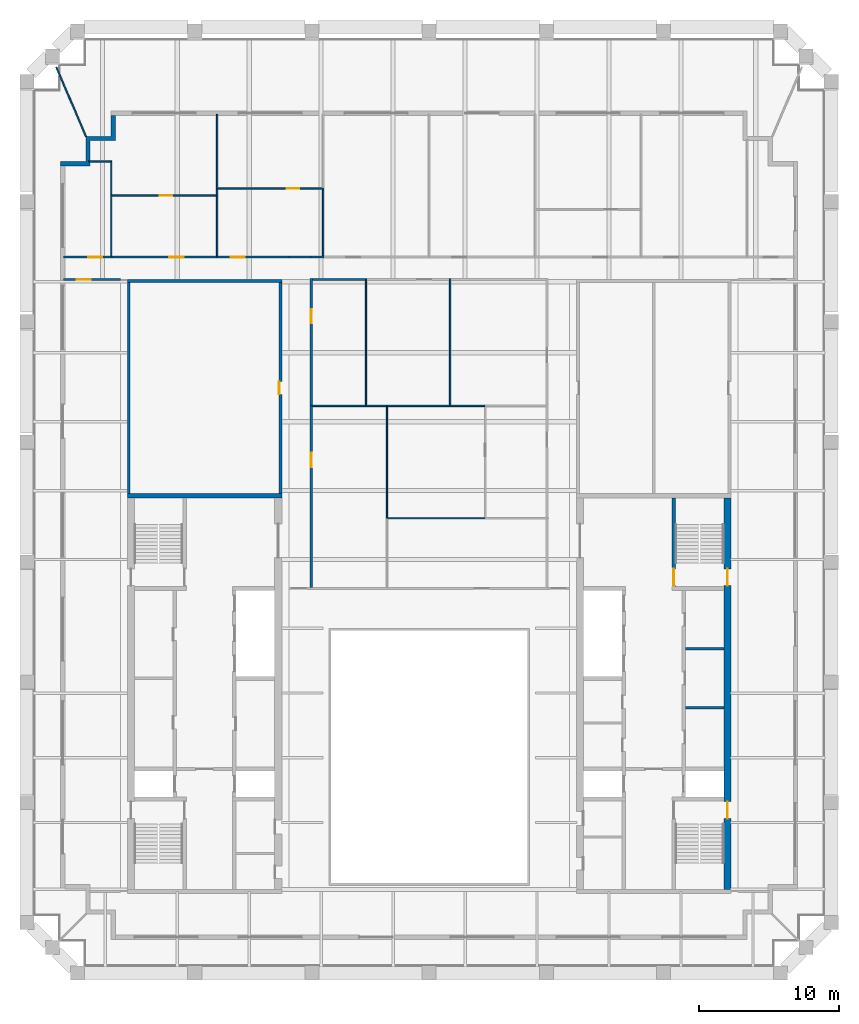
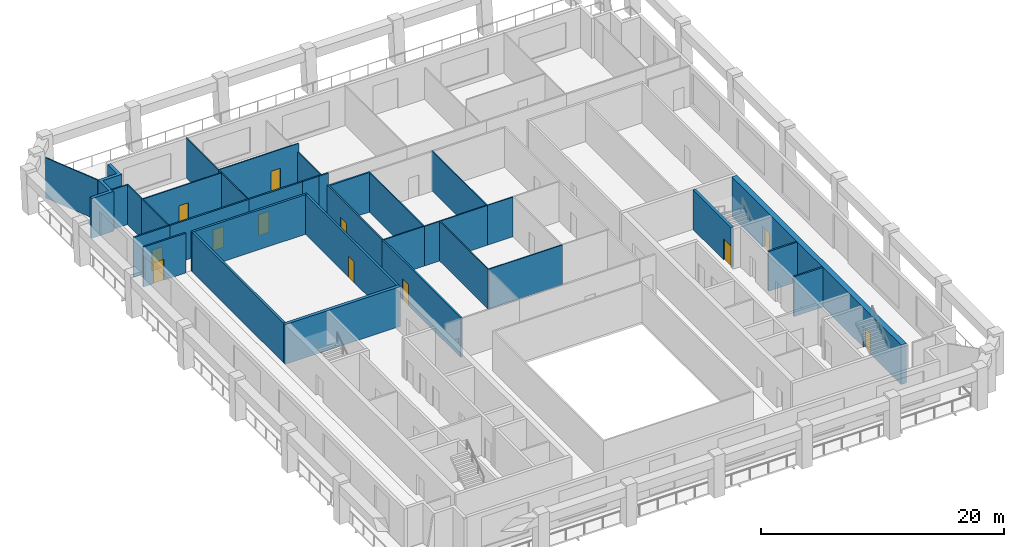
# One storey, part 5 of 8: 36 walls, 12 doors, 12 openings.
"""IFC4 building model written with IfcOpenShell, lengths in metres."""

from ifc_helpers import new_model, si_unit, direction, frame, frame_2d, origin, place, context, subcontext, project, spatial, polyline, rectangle, outline, extrude, material, layer, layer_set, type_object, element, fill, save


model = new_model("IFC4")

# Units and contexts
model_context = context("Model", 3, precision=1e-05, world=origin(), true_north=direction((0.0, 1.0)))
body_context = subcontext(model_context, "Body", "Model", "MODEL_VIEW")
ifc_project = project(units=[si_unit("LENGTHUNIT", "METRE"), si_unit("AREAUNIT", "SQUARE_METRE"), si_unit("VOLUMEUNIT", "CUBIC_METRE"), si_unit("PLANEANGLEUNIT", "RADIAN"), si_unit("MASSUNIT", "GRAM", prefix="KILO")], contexts=[model_context])

# Site, building, storey
site_placement = place(None, origin())
site = spatial("IfcSite", under=ifc_project, at=site_placement, CompositionType="ELEMENT")
building_placement = place(site_placement, origin())
building = spatial("IfcBuilding", under=site, at=building_placement, Name="Ogive Exchange Tower", CompositionType="ELEMENT")
storey_placement = place(building_placement, frame((0.0, 0.0, 338.39990234375)))
storey = spatial("IfcBuildingStorey", under=building, at=storey_placement, Name="L74", CompositionType="ELEMENT", Elevation=338.39990234375)

# Walls
ifc_material_1 = material(Name="Gypsum board partition")
ifc_layer_1 = layer(ifc_material_1, 0.14990234375)
ifc_layer_set_1 = layer_set([ifc_layer_1], Name="Core room partition 150 gypsum")
wall_type_1 = type_object("IfcWallType", Name="Core room partition 150 gypsum", PredefinedType="PARTITIONING", material=ifc_layer_set_1)
for number, where, z_axis, x_axis, name in (
    (1, (18.25, 10.5, 0.0), (0.0, 0.0, 1.0), (1.0, 0.0, 0.0), "E row A bay partition 1-1"),
    (2, (18.25, 14.699951171875, 0.0), (0.0, 0.0, 1.0), (1.0, 0.0, 0.0), "E row A bay partition 1-2"),
):
    element("IfcWall", number, at=place(storey_placement, frame(where, z_axis=z_axis, x_axis=x_axis)), inside=storey, type_object=wall_type_1, Name=name, PredefinedType="PARTITIONING", context=body_context, shape_type="SweptSolid", body=[
        extrude(rectangle(XDim=2.75, YDim=0.14990234375, at=frame_2d((1.375, 0.0))), origin(), (0.0, 0.0, 1.0), 4.0),
    ])

# Wall, opening, door
ifc_material_2 = material(Name="Fire partition EI 60 150")
ifc_layer_2 = layer(ifc_material_2, 0.14990234375)
ifc_layer_set_2 = layer_set([ifc_layer_2], Name="Fire partition EI 60 150")
wall_type_2 = type_object("IfcWallType", Name="Fire partition EI 60 150", PredefinedType="PARTITIONING", material=ifc_layer_set_2)
wall_1_placement = place(storey_placement, frame((-26.050048828125, 42.60009765625, 0.0), z_axis=(0.0, 0.0, 1.0), x_axis=(1.0, 0.0, 0.0)))
wall_1 = element("IfcWall", 3, at=wall_1_placement, inside=storey, type_object=wall_type_2, Name="L74-PWL-001", PredefinedType="PARTITIONING", context=body_context, shape_type="SweptSolid", body=[
    extrude(rectangle(XDim=3.449951171875, YDim=0.14990234375, at=frame_2d((1.72509765625, 0.0))), origin(), (0.0, 0.0, 1.0), 4.0),
])
opening_1_placement = place(wall_1_placement, frame((1.75, 0.0, 0.0)))
opening_1 = element("IfcOpeningElement", 4, at=opening_1_placement, cuts=wall_1, Name="Opening L74-I11", PredefinedType="OPENING", context=body_context, shape_type="SweptSolid", body=[
    extrude(rectangle(XDim=1.0, YDim=2.10009765625, at=frame_2d((0.5, 1.050048828125))), frame((0.0, 0.0849609375, 0.0), z_axis=(0.0, -1.0, 0.0), x_axis=(1.0, 0.0, 0.0)), (0.0, 0.0, 1.0), 0.169921875),
])
ifc_material_3 = material(Name="Fire door FD 30S 1000 x 2100")
door_type_1 = type_object("IfcDoorType", Name="Fire door FD 30S 1000 x 2100", OperationType="NOTDEFINED", PredefinedType="DOOR", material=ifc_material_3)
door_1_placement = place(opening_1_placement, origin())
door_1 = element("IfcDoor", 5, at=door_1_placement, inside=storey, type_object=door_type_1, Name="L74-IDR-011", ObjectType="DT3", OperationType="SINGLE_SWING_LEFT", OverallHeight=2.10009765625, OverallWidth=1.0, PredefinedType="DOOR", context=body_context, shape_type="SweptSolid", body=[
    extrude(rectangle(XDim=1.0, YDim=2.10009765625, at=frame_2d((0.5, 1.050048828125))), frame((0.0, 0.02490234375, 0.0), z_axis=(0.0, -1.0, 0.0), x_axis=(1.0, 0.0, 0.0)), (0.0, 0.0, 1.0), 0.050048828125),
])
fill(opening_1, door_1)

wall_2_placement = place(storey_placement, frame((-22.64990234375, 42.60009765625, 0.0), z_axis=(0.0, 0.0, 1.0), x_axis=(1.0, 0.0, 0.0)))
wall_2 = element("IfcWall", 6, at=wall_2_placement, inside=storey, type_object=wall_type_2, Name="L74-PWL-004", PredefinedType="PARTITIONING", context=body_context, shape_type="SweptSolid", body=[
    extrude(rectangle(XDim=7.599853515625, YDim=0.14990234375, at=frame_2d((3.7998046875, 0.0))), origin(), (0.0, 0.0, 1.0), 4.0),
])
opening_2_placement = place(wall_2_placement, frame((4.14990234375, 0.0, 0.0)))
opening_2 = element("IfcOpeningElement", 7, at=opening_2_placement, cuts=wall_2, Name="Opening L74-I10", PredefinedType="OPENING", context=body_context, shape_type="SweptSolid", body=[
    extrude(rectangle(XDim=1.0, YDim=2.10009765625, at=frame_2d((0.5, 1.050048828125))), frame((0.0, 0.0849609375, 0.0), z_axis=(0.0, -1.0, 0.0), x_axis=(1.0, 0.0, 0.0)), (0.0, 0.0, 1.0), 0.169921875),
])
door_2_placement = place(opening_2_placement, origin())
door_2 = element("IfcDoor", 8, at=door_2_placement, inside=storey, type_object=door_type_1, Name="L74-IDR-010", ObjectType="DT3", OperationType="SINGLE_SWING_LEFT", OverallHeight=2.10009765625, OverallWidth=1.0, PredefinedType="DOOR", context=body_context, shape_type="SweptSolid", body=[
    extrude(rectangle(XDim=1.0, YDim=2.10009765625, at=frame_2d((0.5, 1.050048828125))), frame((0.0, 0.02490234375, 0.0), z_axis=(0.0, -1.0, 0.0), x_axis=(1.0, 0.0, 0.0)), (0.0, 0.0, 1.0), 0.050048828125),
])
fill(opening_2, door_2)

wall_3_placement = place(storey_placement, frame((-22.0, 41.0, 0.0), z_axis=(0.0, 0.0, 1.0), x_axis=(-1.0, 0.0, 0.0)))
wall_3 = element("IfcWall", 9, at=wall_3_placement, inside=storey, type_object=wall_type_2, Name="L74-PWL-007", PredefinedType="PARTITIONING", context=body_context, shape_type="SweptSolid", body=[
    extrude(rectangle(XDim=4.050048828125, YDim=0.14990234375, at=frame_2d((2.02490234375, 0.0))), origin(), (0.0, 0.0, 1.0), 4.0),
])
opening_3_placement = place(wall_3_placement, frame((2.10009765625, 0.0, 0.0)))
opening_3 = element("IfcOpeningElement", 10, at=opening_3_placement, cuts=wall_3, Name="Opening L74-I19", PredefinedType="OPENING", context=body_context, shape_type="SweptSolid", body=[
    extrude(rectangle(XDim=1.0, YDim=2.10009765625, at=frame_2d((0.5, 1.050048828125))), frame((0.0, 0.0849609375, 0.0), z_axis=(0.0, -1.0, 0.0), x_axis=(1.0, 0.0, 0.0)), (0.0, 0.0, 1.0), 0.169921875),
])
door_3_placement = place(opening_3_placement, origin())
door_3 = element("IfcDoor", 11, at=door_3_placement, inside=storey, type_object=door_type_1, Name="L74-IDR-019", ObjectType="DT3", OperationType="SINGLE_SWING_LEFT", OverallHeight=2.10009765625, OverallWidth=1.0, PredefinedType="DOOR", context=body_context, shape_type="SweptSolid", body=[
    extrude(rectangle(XDim=1.0, YDim=2.10009765625, at=frame_2d((0.5, 1.050048828125))), frame((0.0, 0.02490234375, 0.0), z_axis=(0.0, -1.0, 0.0), x_axis=(1.0, 0.0, 0.0)), (0.0, 0.0, 1.0), 0.050048828125),
])
fill(opening_3, door_3)

wall_4_placement = place(storey_placement, frame((-15.10009765625, 42.60009765625, 0.0), z_axis=(0.0, 0.0, 1.0), x_axis=(1.0, 0.0, 0.0)))
wall_4 = element("IfcWall", 12, at=wall_4_placement, inside=storey, type_object=wall_type_2, Name="L74-PWL-009", PredefinedType="PARTITIONING", context=body_context, shape_type="SweptSolid", body=[
    extrude(rectangle(XDim=5.10009765625, YDim=0.14990234375, at=frame_2d((2.550048828125, 0.0))), origin(), (0.0, 0.0, 1.0), 4.0),
])
opening_4_placement = place(wall_4_placement, frame((0.949951171875, 0.0, 0.0)))
opening_4 = element("IfcOpeningElement", 13, at=opening_4_placement, cuts=wall_4, Name="Opening L74-I07", PredefinedType="OPENING", context=body_context, shape_type="SweptSolid", body=[
    extrude(rectangle(XDim=1.0, YDim=2.10009765625, at=frame_2d((0.5, 1.050048828125))), frame((0.0, 0.0849609375, 0.0), z_axis=(0.0, -1.0, 0.0), x_axis=(1.0, 0.0, 0.0)), (0.0, 0.0, 1.0), 0.169921875),
])
door_4_placement = place(opening_4_placement, origin())
door_4 = element("IfcDoor", 14, at=door_4_placement, inside=storey, type_object=door_type_1, Name="L74-IDR-007", ObjectType="DT3", OperationType="SINGLE_SWING_RIGHT", OverallHeight=2.10009765625, OverallWidth=1.0, PredefinedType="DOOR", context=body_context, shape_type="SweptSolid", body=[
    extrude(rectangle(XDim=1.0, YDim=2.10009765625, at=frame_2d((0.5, 1.050048828125))), frame((0.0, 0.02490234375, 0.0), z_axis=(0.0, -1.0, 0.0), x_axis=(1.0, 0.0, 0.0)), (0.0, 0.0, 1.0), 0.050048828125),
])
fill(opening_4, door_4)

# Wall
wall_5_placement = place(storey_placement, frame((-10.0, 42.60009765625, 0.0), z_axis=(0.0, 0.0, 1.0), x_axis=(1.0, 0.0, 0.0)))
element("IfcWall", 15, at=wall_5_placement, inside=storey, type_object=wall_type_2, Name="L74-PWL-014", PredefinedType="PARTITIONING", context=body_context, shape_type="SweptSolid", body=[
    extrude(rectangle(XDim=1.60009765625, YDim=0.14990234375, at=frame_2d((0.800048828125, 0.0))), origin(), (0.0, 0.0, 1.0), 4.0),
])

# Wall, opening, door
wall_6_placement = place(storey_placement, frame((-8.39990234375, 32.050048828125, 0.0), z_axis=(0.0, 0.0, 1.0), x_axis=(0.0, -1.0, 0.0)))
wall_6 = element("IfcWall", 16, at=wall_6_placement, inside=storey, type_object=wall_type_2, Name="L74-PWL-016", PredefinedType="PARTITIONING", context=body_context, shape_type="SweptSolid", body=[
    extrude(rectangle(XDim=12.97509765625, YDim=0.14990234375, at=frame_2d((6.487548828125, 0.0))), origin(), (0.0, 0.0, 1.0), 4.0),
])
opening_5_placement = place(wall_6_placement, frame((3.39990234375, 0.0, 0.0)))
opening_5 = element("IfcOpeningElement", 17, at=opening_5_placement, cuts=wall_6, Name="Opening L74-I18", PredefinedType="OPENING", context=body_context, shape_type="SweptSolid", body=[
    extrude(rectangle(XDim=1.0, YDim=2.10009765625, at=frame_2d((0.5, 1.050048828125))), frame((0.0, 0.0849609375, 0.0), z_axis=(0.0, -1.0, 0.0), x_axis=(1.0, 0.0, 0.0)), (0.0, 0.0, 1.0), 0.169921875),
])
door_5_placement = place(opening_5_placement, origin())
door_5 = element("IfcDoor", 18, at=door_5_placement, inside=storey, type_object=door_type_1, Name="L74-IDR-018", ObjectType="DT3", OperationType="SINGLE_SWING_RIGHT", OverallHeight=2.10009765625, OverallWidth=1.0, PredefinedType="DOOR", context=body_context, shape_type="SweptSolid", body=[
    extrude(rectangle(XDim=1.0, YDim=2.10009765625, at=frame_2d((0.5, 1.050048828125))), frame((0.0, 0.02490234375, 0.0), z_axis=(0.0, -1.0, 0.0), x_axis=(1.0, 0.0, 0.0)), (0.0, 0.0, 1.0), 0.050048828125),
])
fill(opening_5, door_5)

wall_7_placement = place(storey_placement, frame((-8.39990234375, 41.074951171875, 0.0), z_axis=(0.0, 0.0, 1.0), x_axis=(0.0, -1.0, 0.0)))
wall_7 = element("IfcWall", 19, at=wall_7_placement, inside=storey, type_object=wall_type_2, Name="L74-PWL-017", PredefinedType="PARTITIONING", context=body_context, shape_type="SweptSolid", body=[
    extrude(rectangle(XDim=9.02490234375, YDim=0.14990234375, at=frame_2d((4.512451171875, 0.0))), origin(), (0.0, 0.0, 1.0), 4.0),
])
opening_6_placement = place(wall_7_placement, frame((2.175048828125, 0.0, 0.0)))
opening_6 = element("IfcOpeningElement", 20, at=opening_6_placement, cuts=wall_7, Name="Opening L74-I14", PredefinedType="OPENING", context=body_context, shape_type="SweptSolid", body=[
    extrude(rectangle(XDim=1.0, YDim=2.10009765625, at=frame_2d((0.5, 1.050048828125))), frame((0.0, 0.0849609375, 0.0), z_axis=(0.0, -1.0, 0.0), x_axis=(1.0, 0.0, 0.0)), (0.0, 0.0, 1.0), 0.169921875),
])
door_6_placement = place(opening_6_placement, origin())
door_6 = element("IfcDoor", 21, at=door_6_placement, inside=storey, type_object=door_type_1, Name="L74-IDR-014", ObjectType="DT3", OperationType="SINGLE_SWING_RIGHT", OverallHeight=2.10009765625, OverallWidth=1.0, PredefinedType="DOOR", context=body_context, shape_type="SweptSolid", body=[
    extrude(rectangle(XDim=1.0, YDim=2.10009765625, at=frame_2d((0.5, 1.050048828125))), frame((0.0, 0.02490234375, 0.0), z_axis=(0.0, -1.0, 0.0), x_axis=(1.0, 0.0, 0.0)), (0.0, 0.0, 1.0), 0.050048828125),
])
fill(opening_6, door_6)

# Walls
wall_8_placement = place(storey_placement, frame((-8.39990234375, 42.60009765625, 0.0), z_axis=(0.0, 0.0, 1.0), x_axis=(1.0, 0.0, 0.0)))
element("IfcWall", 22, at=wall_8_placement, inside=storey, type_object=wall_type_2, Name="L74-PWL-018", PredefinedType="PARTITIONING", context=body_context, shape_type="SweptSolid", body=[
    extrude(rectangle(XDim=0.89990234375, YDim=0.14990234375, at=frame_2d((0.449951171875, 0.0))), origin(), (0.0, 0.0, 1.0), 4.0),
])
wall_9_placement = place(storey_placement, frame((-4.550048828125, 41.0, 0.0), z_axis=(0.0, 0.0, 1.0), x_axis=(-1.0, 0.0, 0.0)))
element("IfcWall", 23, at=wall_9_placement, inside=storey, type_object=wall_type_2, Name="L74-PWL-024", PredefinedType="PARTITIONING", context=body_context, shape_type="SweptSolid", body=[
    extrude(rectangle(XDim=3.77490234375, YDim=0.14990234375, at=frame_2d((1.887451171875, 0.0))), origin(), (0.0, 0.0, 1.0), 4.0),
])
ifc_material_4 = material(Name="Precast concrete C40/50", Category="concrete")
ifc_layer_3 = layer(ifc_material_4, 0.300048828125)
ifc_layer_set_3 = layer_set([ifc_layer_3], Name="Limestone-faced wall 300")
wall_type_3 = type_object("IfcWallType", Name="Limestone-faced wall 300", PredefinedType="STANDARD", material=ifc_layer_set_3)
wall_10_placement = place(storey_placement, origin())
element("IfcWall", 24, at=wall_10_placement, inside=storey, type_object=wall_type_3, Name="External corner wall C3", PredefinedType="STANDARD", context=body_context, shape_type="SweptSolid", body=[
    extrude(outline(polyline([(-24.449951171875, 49.39990234375), (-24.449951171875, 51.199951171875), (-22.64990234375, 51.199951171875), (-22.64990234375, 52.699951171875), (-22.35009765625, 52.699951171875), (-22.35009765625, 50.89990234375), (-24.14990234375, 50.89990234375), (-24.14990234375, 49.10009765625), (-26.25, 49.10009765625), (-26.25, 49.39990234375), (-24.449951171875, 49.39990234375)])), origin(), (0.0, 0.0, 1.0), 4.0),
])
ifc_material_5 = material(Name="Laminated safety glass in steel frame", Category="steel")
ifc_layer_4 = layer(ifc_material_5, 0.10009765625)
ifc_layer_set_4 = layer_set([ifc_layer_4], Name="Loggia end screen 100")
wall_type_4 = type_object("IfcWallType", Name="Loggia end screen 100", PredefinedType="STANDARD", material=ifc_layer_set_4)
wall_11_placement = place(storey_placement, frame((-24.449951171875, 51.199951171875, -0.0498046875), z_axis=(0.0, 0.0, 1.0), x_axis=(-0.392867927022, 0.919594906422, 0.0)))
element("IfcWall", 25, at=wall_11_placement, inside=storey, type_object=wall_type_4, Name="Loggia end screen C3", PredefinedType="STANDARD", context=body_context, shape_type="SweptSolid", body=[
    extrude(rectangle(XDim=5.38232421875, YDim=0.10009765625, at=frame_2d((2.691162109375, 0.0))), origin(), (0.0, 0.0, 1.0), 4.0498046875),
])
ifc_material_6 = material(Name="Partition 100 gypsum")
ifc_layer_5 = layer(ifc_material_6, 0.10009765625)
ifc_layer_set_5 = layer_set([ifc_layer_5], Name="Partition 100 gypsum")
wall_type_5 = type_object("IfcWallType", Name="Partition 100 gypsum", PredefinedType="PARTITIONING", material=ifc_layer_set_5)
wall_12_placement = place(storey_placement, frame((-22.64990234375, 42.675048828125, 0.0), z_axis=(0.0, 0.0, 1.0), x_axis=(0.0, 1.0, 0.0)))
element("IfcWall", 26, at=wall_12_placement, inside=storey, type_object=wall_type_5, Name="L74-PWL-003", PredefinedType="PARTITIONING", context=body_context, shape_type="SweptSolid", body=[
    extrude(rectangle(XDim=4.375, YDim=0.10009765625, at=frame_2d((2.1875, 0.0))), origin(), (0.0, 0.0, 1.0), 4.0),
])
wall_13_placement = place(storey_placement, frame((-22.64990234375, 47.050048828125, 0.0), z_axis=(0.0, 0.0, 1.0), x_axis=(0.0, 1.0, 0.0)))
element("IfcWall", 27, at=wall_13_placement, inside=storey, type_object=wall_type_5, Name="L74-PWL-005", PredefinedType="PARTITIONING", context=body_context, shape_type="SweptSolid", body=[
    extrude(rectangle(XDim=2.409912109375, YDim=0.10009765625, at=frame_2d((1.205078125, 0.0))), origin(), (0.0, 0.0, 1.0), 4.0),
])
wall_14_placement = place(storey_placement, frame((-22.699951171875, 49.409912109375, 0.0), z_axis=(0.0, 0.0, 1.0), x_axis=(-1.0, 0.0, 0.0)))
element("IfcWall", 28, at=wall_14_placement, inside=storey, type_object=wall_type_5, Name="L74-PWL-006", PredefinedType="PARTITIONING", context=body_context, shape_type="SweptSolid", body=[
    extrude(rectangle(XDim=1.550048828125, YDim=0.10009765625, at=frame_2d((0.77490234375, 0.0))), origin(), (0.0, 0.0, 1.0), 4.0),
])
wall_15_placement = place(storey_placement, frame((-15.10009765625, 42.675048828125, 0.0), z_axis=(0.0, 0.0, 1.0), x_axis=(0.0, 1.0, 0.0)))
element("IfcWall", 29, at=wall_15_placement, inside=storey, type_object=wall_type_5, Name="L74-PWL-008", PredefinedType="PARTITIONING", context=body_context, shape_type="SweptSolid", body=[
    extrude(rectangle(XDim=4.375, YDim=0.10009765625, at=frame_2d((2.1875, 0.0))), origin(), (0.0, 0.0, 1.0), 4.0),
])

# Wall, opening, door
wall_16_placement = place(storey_placement, frame((-15.14990234375, 47.0, 0.0), z_axis=(0.0, 0.0, 1.0), x_axis=(-1.0, 0.0, 0.0)))
wall_16 = element("IfcWall", 30, at=wall_16_placement, inside=storey, type_object=wall_type_5, Name="L74-PWL-010", PredefinedType="PARTITIONING", context=body_context, shape_type="SweptSolid", body=[
    extrude(rectangle(XDim=7.4501953125, YDim=0.10009765625, at=frame_2d((3.72509765625, 0.0))), origin(), (0.0, 0.0, 1.0), 4.0),
])
opening_7_placement = place(wall_16_placement, frame((3.14990234375, 0.0, 0.0)))
opening_7 = element("IfcOpeningElement", 31, at=opening_7_placement, cuts=wall_16, Name="Opening L74-I09", PredefinedType="OPENING", context=body_context, shape_type="SweptSolid", body=[
    extrude(rectangle(XDim=0.89990234375, YDim=2.10009765625, at=frame_2d((0.449951171875, 1.050048828125))), frame((0.0, 0.06005859375, 0.0), z_axis=(0.0, -1.0, 0.0), x_axis=(1.0, 0.0, 0.0)), (0.0, 0.0, 1.0), 0.1201171875),
])
ifc_material_7 = material(Name="Door 900 x 2100")
door_type_2 = type_object("IfcDoorType", Name="Door 900 x 2100", OperationType="NOTDEFINED", PredefinedType="DOOR", material=ifc_material_7)
door_7_placement = place(opening_7_placement, origin())
door_7 = element("IfcDoor", 32, at=door_7_placement, inside=storey, type_object=door_type_2, Name="L74-IDR-009", ObjectType="DT1", OperationType="SINGLE_SWING_LEFT", OverallHeight=2.10009765625, OverallWidth=0.89990234375, PredefinedType="DOOR", context=body_context, shape_type="SweptSolid", body=[
    extrude(rectangle(XDim=0.89990234375, YDim=2.10009765625, at=frame_2d((0.449951171875, 1.050048828125))), frame((0.0, 0.02490234375, 0.0), z_axis=(0.0, -1.0, 0.0), x_axis=(1.0, 0.0, 0.0)), (0.0, 0.0, 1.0), 0.050048828125),
])
fill(opening_7, door_7)

# Walls
wall_17_placement = place(storey_placement, frame((-15.10009765625, 47.0, 0.0), z_axis=(0.0, 0.0, 1.0), x_axis=(0.0, 1.0, 0.0)))
element("IfcWall", 33, at=wall_17_placement, inside=storey, type_object=wall_type_5, Name="L74-PWL-011", PredefinedType="PARTITIONING", context=body_context, shape_type="SweptSolid", body=[
    extrude(rectangle(XDim=0.449951171875, YDim=0.10009765625, at=frame_2d((0.22509765625, 0.0))), origin(), (0.0, 0.0, 1.0), 4.0),
])
wall_18_placement = place(storey_placement, frame((-15.10009765625, 47.449951171875, 0.0), z_axis=(0.0, 0.0, 1.0), x_axis=(0.0, 1.0, 0.0)))
element("IfcWall", 34, at=wall_18_placement, inside=storey, type_object=wall_type_5, Name="L74-PWL-012", PredefinedType="PARTITIONING", context=body_context, shape_type="SweptSolid", body=[
    extrude(rectangle(XDim=5.35009765625, YDim=0.10009765625, at=frame_2d((2.675048828125, 0.0))), origin(), (0.0, 0.0, 1.0), 4.0),
])

# Wall, opening, door
wall_19_placement = place(storey_placement, frame((-15.050048828125, 47.5, 0.0), z_axis=(0.0, 0.0, 1.0), x_axis=(1.0, 0.0, 0.0)))
wall_19 = element("IfcWall", 35, at=wall_19_placement, inside=storey, type_object=wall_type_5, Name="L74-PWL-013", PredefinedType="PARTITIONING", context=body_context, shape_type="SweptSolid", body=[
    extrude(rectangle(XDim=7.550048828125, YDim=0.10009765625, at=frame_2d((3.77490234375, 0.0))), origin(), (0.0, 0.0, 1.0), 4.0),
])
opening_8_placement = place(wall_19_placement, frame((4.89990234375, 0.0, 0.0)))
opening_8 = element("IfcOpeningElement", 36, at=opening_8_placement, cuts=wall_19, Name="Opening L74-I08", PredefinedType="OPENING", context=body_context, shape_type="SweptSolid", body=[
    extrude(rectangle(XDim=0.89990234375, YDim=2.10009765625, at=frame_2d((0.449951171875, 1.050048828125))), frame((0.0, 0.06005859375, 0.0), z_axis=(0.0, -1.0, 0.0), x_axis=(1.0, 0.0, 0.0)), (0.0, 0.0, 1.0), 0.1201171875),
])
door_8_placement = place(opening_8_placement, frame((0.89990234375, 0.0, 0.0), z_axis=(0.0, 0.0, 1.0), x_axis=(-1.0, 0.0, 0.0)))
door_8 = element("IfcDoor", 37, at=door_8_placement, inside=storey, type_object=door_type_2, Name="L74-IDR-008", ObjectType="DT1", OperationType="SINGLE_SWING_RIGHT", OverallHeight=2.10009765625, OverallWidth=0.89990234375, PredefinedType="DOOR", context=body_context, shape_type="SweptSolid", body=[
    extrude(rectangle(XDim=0.89990234375, YDim=2.10009765625, at=frame_2d((0.449951171875, 1.050048828125))), frame((0.0, 0.02490234375, 0.0), z_axis=(0.0, -1.0, 0.0), x_axis=(1.0, 0.0, 0.0)), (0.0, 0.0, 1.0), 0.050048828125),
])
fill(opening_8, door_8)

# Walls
wall_20_placement = place(storey_placement, frame((-7.550048828125, 42.675048828125, 0.0), z_axis=(0.0, 0.0, 1.0), x_axis=(0.0, 1.0, 0.0)))
element("IfcWall", 38, at=wall_20_placement, inside=storey, type_object=wall_type_5, Name="L74-PWL-019", PredefinedType="PARTITIONING", context=body_context, shape_type="SweptSolid", body=[
    extrude(rectangle(XDim=4.77490234375, YDim=0.10009765625, at=frame_2d((2.387451171875, 0.0))), origin(), (0.0, 0.0, 1.0), 3.1640625),
])
wall_21_placement = place(storey_placement, frame((-4.449951171875, 32.0, 0.0), z_axis=(0.0, 0.0, 1.0), x_axis=(-1.0, 0.0, 0.0)))
element("IfcWall", 39, at=wall_21_placement, inside=storey, type_object=wall_type_5, Name="L74-PWL-022", PredefinedType="PARTITIONING", context=body_context, shape_type="SweptSolid", body=[
    extrude(rectangle(XDim=3.875, YDim=0.10009765625, at=frame_2d((1.9375, 0.0))), origin(), (0.0, 0.0, 1.0), 4.0),
])
wall_22_placement = place(storey_placement, frame((-4.5, 32.050048828125, 0.0), z_axis=(0.0, 0.0, 1.0), x_axis=(0.0, 1.0, 0.0)))
element("IfcWall", 40, at=wall_22_placement, inside=storey, type_object=wall_type_5, Name="L74-PWL-023", PredefinedType="PARTITIONING", context=body_context, shape_type="SweptSolid", body=[
    extrude(rectangle(XDim=9.02490234375, YDim=0.10009765625, at=frame_2d((4.512451171875, 0.0))), origin(), (0.0, 0.0, 1.0), 4.0),
])
wall_23_placement = place(storey_placement, frame((-3.0, 23.949951171875, 0.0), z_axis=(0.0, 0.0, 1.0), x_axis=(0.0, 1.0, 0.0)))
element("IfcWall", 41, at=wall_23_placement, inside=storey, type_object=wall_type_5, Name="L74-PWL-027", PredefinedType="PARTITIONING", context=body_context, shape_type="SweptSolid", body=[
    extrude(rectangle(XDim=8.10009765625, YDim=0.10009765625, at=frame_2d((4.050048828125, 0.0))), origin(), (0.0, 0.0, 1.0), 4.0),
])
wall_24_placement = place(storey_placement, frame((-2.949951171875, 24.0, 0.0), z_axis=(0.0, 0.0, 1.0), x_axis=(1.0, 0.0, 0.0)))
element("IfcWall", 42, at=wall_24_placement, inside=storey, type_object=wall_type_5, Name="L74-PWL-028", PredefinedType="PARTITIONING", context=body_context, shape_type="SweptSolid", body=[
    extrude(rectangle(XDim=7.0, YDim=0.10009765625, at=frame_2d((3.5, 0.0))), origin(), (0.0, 0.0, 1.0), 4.0),
])
wall_25_placement = place(storey_placement, frame((-3.050048828125, 32.0, 0.0), z_axis=(0.0, 0.0, 1.0), x_axis=(-1.0, 0.0, 0.0)))
element("IfcWall", 43, at=wall_25_placement, inside=storey, type_object=wall_type_5, Name="L74-PWL-029", PredefinedType="PARTITIONING", context=body_context, shape_type="SweptSolid", body=[
    extrude(rectangle(XDim=1.449951171875, YDim=0.10009765625, at=frame_2d((0.72509765625, 0.0))), origin(), (0.0, 0.0, 1.0), 4.0),
])
wall_26_placement = place(storey_placement, frame((1.550048828125, 32.0, 0.0), z_axis=(0.0, 0.0, 1.0), x_axis=(-1.0, 0.0, 0.0)))
element("IfcWall", 44, at=wall_26_placement, inside=storey, type_object=wall_type_5, Name="L74-PWL-032", PredefinedType="PARTITIONING", context=body_context, shape_type="SweptSolid", body=[
    extrude(rectangle(XDim=4.5, YDim=0.10009765625, at=frame_2d((2.25, 0.0))), origin(), (0.0, 0.0, 1.0), 4.0),
])
wall_27_placement = place(storey_placement, frame((1.5, 32.050048828125, 0.0), z_axis=(0.0, 0.0, 1.0), x_axis=(0.0, 1.0, 0.0)))
element("IfcWall", 45, at=wall_27_placement, inside=storey, type_object=wall_type_5, Name="L74-PWL-033", PredefinedType="PARTITIONING", context=body_context, shape_type="SweptSolid", body=[
    extrude(rectangle(XDim=9.02490234375, YDim=0.10009765625, at=frame_2d((4.512451171875, 0.0))), origin(), (0.0, 0.0, 1.0), 4.0),
])
wall_28_placement = place(storey_placement, frame((3.949951171875, 32.0, 0.0), z_axis=(0.0, 0.0, 1.0), x_axis=(-1.0, 0.0, 0.0)))
element("IfcWall", 46, at=wall_28_placement, inside=storey, type_object=wall_type_5, Name="L74-PWL-037", PredefinedType="PARTITIONING", context=body_context, shape_type="SweptSolid", body=[
    extrude(rectangle(XDim=2.449951171875, YDim=0.10009765625, at=frame_2d((1.22509765625, 0.0))), origin(), (0.0, 0.0, 1.0), 4.0),
])
ifc_material_8 = material(Name="Concrete C70/85", Category="concrete")
ifc_layer_6 = layer(ifc_material_8, 0.199951171875)
ifc_layer_set_6 = layer_set([ifc_layer_6], Name="RC core wall 200 C70/85")
wall_type_6 = type_object("IfcWallType", Name="RC core wall 200 C70/85", PredefinedType="SHEAR", material=ifc_layer_set_6)
wall_29_placement = place(storey_placement, frame((-21.39990234375, 25.75, 0.0), z_axis=(0.0, 0.0, 1.0), x_axis=(0.0, 1.0, 0.0)))
element("IfcWall", 47, at=wall_29_placement, inside=storey, type_object=wall_type_6, Name="W annex N outer wall", PredefinedType="SHEAR", context=body_context, shape_type="SweptSolid", body=[
    extrude(rectangle(XDim=15.050048828125, YDim=0.199951171875, at=frame_2d((7.52490234375, 0.0))), origin(), (0.0, 0.0, 1.0), 4.0),
])

# Wall, opening, door
wall_30_placement = place(storey_placement, frame((-10.60009765625, 25.75, 0.0), z_axis=(0.0, 0.0, 1.0), x_axis=(0.0, 1.0, 0.0)))
wall_30 = element("IfcWall", 48, at=wall_30_placement, inside=storey, type_object=wall_type_6, Name="W annex N inner wall", PredefinedType="SHEAR", context=body_context, shape_type="SweptSolid", body=[
    extrude(rectangle(XDim=15.050048828125, YDim=0.199951171875, at=frame_2d((7.52490234375, 0.0))), origin(), (0.0, 0.0, 1.0), 4.0),
])
opening_9_placement = place(wall_30_placement, frame((7.074951171875, 0.0, 0.0)))
opening_9 = element("IfcOpeningElement", 49, at=opening_9_placement, cuts=wall_30, Name="Opening L74-C17", PredefinedType="OPENING", context=body_context, shape_type="SweptSolid", body=[
    extrude(rectangle(XDim=0.89990234375, YDim=2.10009765625, at=frame_2d((0.449951171875, 1.050048828125))), frame((0.0, 0.10986328125, 0.0), z_axis=(0.0, -1.0, 0.0), x_axis=(1.0, 0.0, 0.0)), (0.0, 0.0, 1.0), 0.219970703125),
])
ifc_material_9 = material(Name="Timber fire door", Category="wood")
door_type_3 = type_object("IfcDoorType", Name="Core room door FD30S 900 x 2100", OperationType="NOTDEFINED", PredefinedType="DOOR", material=ifc_material_9)
door_9_placement = place(opening_9_placement, frame((0.89990234375, 0.14990234375, 0.0), z_axis=(0.0, 0.0, 1.0), x_axis=(-1.0, 0.0, 0.0)))
door_9 = element("IfcDoor", 50, at=door_9_placement, inside=storey, type_object=door_type_3, Name="Core room door", ObjectType="CD6", OperationType="SINGLE_SWING_RIGHT", OverallHeight=2.10009765625, OverallWidth=0.89990234375, PredefinedType="DOOR", context=body_context, shape_type="SweptSolid", body=[
    extrude(rectangle(XDim=0.89990234375, YDim=2.10009765625, at=frame_2d((0.449951171875, 1.050048828125))), frame((0.0, 0.10009765625, 0.0), z_axis=(0.0, -1.0, 0.0), x_axis=(1.0, 0.0, 0.0)), (0.0, 0.0, 1.0), 0.050048828125),
])
fill(opening_9, door_9)

# Wall
wall_31_placement = place(storey_placement, frame((-21.5, 40.89990234375, 0.0), z_axis=(0.0, 0.0, 1.0), x_axis=(1.0, 0.0, 0.0)))
element("IfcWall", 51, at=wall_31_placement, inside=storey, type_object=wall_type_6, Name="W annex N end wall", PredefinedType="SHEAR", context=body_context, shape_type="SweptSolid", body=[
    extrude(rectangle(XDim=11.0, YDim=0.199951171875, at=frame_2d((5.5, 0.0))), origin(), (0.0, 0.0, 1.0), 4.0),
])

# Wall, opening, door
ifc_layer_7 = layer(ifc_material_8, 0.25)
ifc_layer_set_7 = layer_set([ifc_layer_7], Name="RC core wall 250 C70/85")
wall_type_7 = type_object("IfcWallType", Name="RC core wall 250 C70/85", PredefinedType="SHEAR", material=ifc_layer_set_7)
wall_32_placement = place(storey_placement, frame((17.425048828125, 19.14990234375, 0.0), z_axis=(0.0, 0.0, 1.0), x_axis=(0.0, 1.0, 0.0)))
wall_32 = element("IfcWall", 52, at=wall_32_placement, inside=storey, type_object=wall_type_7, Name="E stair N front wall", PredefinedType="SHEAR", context=body_context, shape_type="SweptSolid", body=[
    extrude(rectangle(XDim=6.300048828125, YDim=0.25, at=frame_2d((3.14990234375, 0.0))), origin(), (0.0, 0.0, 1.0), 4.0),
])
opening_10_placement = place(wall_32_placement, frame((0.050048828125, 0.0, 0.0)))
opening_10 = element("IfcOpeningElement", 53, at=opening_10_placement, cuts=wall_32, Name="Opening L74-C32", PredefinedType="OPENING", context=body_context, shape_type="SweptSolid", body=[
    extrude(rectangle(XDim=1.199951171875, YDim=2.10009765625, at=frame_2d((0.60009765625, 1.050048828125))), frame((0.0, 0.135009765625, 0.0), z_axis=(0.0, -1.0, 0.0), x_axis=(1.0, 0.0, 0.0)), (0.0, 0.0, 1.0), 0.27001953125),
])
ifc_material_10 = material(Name="Steel fire door", Category="steel")
door_type_4 = type_object("IfcDoorType", Name="Stair door FD90 1200 x 2100", OperationType="NOTDEFINED", PredefinedType="DOOR", material=ifc_material_10)
door_10_placement = place(opening_10_placement, frame((1.199951171875, 0.0, 0.0), z_axis=(0.0, 0.0, 1.0), x_axis=(-1.0, 0.0, 0.0)))
door_10 = element("IfcDoor", 54, at=door_10_placement, inside=storey, type_object=door_type_4, Name="Stair door", ObjectType="CD5", OperationType="SINGLE_SWING_LEFT", OverallHeight=2.10009765625, OverallWidth=1.199951171875, PredefinedType="DOOR", context=body_context, shape_type="SweptSolid", body=[
    extrude(rectangle(XDim=1.199951171875, YDim=2.10009765625, at=frame_2d((0.60009765625, 1.050048828125))), frame((0.0, 0.02490234375, 0.0), z_axis=(0.0, -1.0, 0.0), x_axis=(1.0, 0.0, 0.0)), (0.0, 0.0, 1.0), 0.050048828125),
])
fill(opening_10, door_10)

# Wall
ifc_layer_8 = layer(ifc_material_8, 0.300048828125)
ifc_layer_set_8 = layer_set([ifc_layer_8], Name="RC core wall 300 C70/85")
wall_type_8 = type_object("IfcWallType", Name="RC core wall 300 C70/85", PredefinedType="SHEAR", material=ifc_layer_set_8)
wall_33_placement = place(storey_placement, frame((-21.5, 25.60009765625, 0.0), z_axis=(0.0, 0.0, 1.0), x_axis=(1.0, 0.0, 0.0)))
element("IfcWall", 55, at=wall_33_placement, inside=storey, type_object=wall_type_8, Name="W north end wall", PredefinedType="SHEAR", context=body_context, shape_type="SweptSolid", body=[
    extrude(rectangle(XDim=11.0, YDim=0.300048828125, at=frame_2d((5.5, 0.0))), origin(), (0.0, 0.0, 1.0), 4.0),
])

# Wall, openings, doors
ifc_layer_9 = layer(ifc_material_8, 0.5)
ifc_layer_set_9 = layer_set([ifc_layer_9], Name="RC core wall 500 C70/85")
wall_type_9 = type_object("IfcWallType", Name="RC core wall 500 C70/85", PredefinedType="SHEAR", material=ifc_layer_set_9)
wall_34_placement = place(storey_placement, frame((21.25, -2.449951171875, 0.0), z_axis=(0.0, 0.0, 1.0), x_axis=(0.0, 1.0, 0.0)))
wall_34 = element("IfcWall", 56, at=wall_34_placement, inside=storey, type_object=wall_type_9, Name="E outer wall", PredefinedType="SHEAR", context=body_context, shape_type="SweptSolid", body=[
    extrude(rectangle(XDim=27.89990234375, YDim=0.5, at=frame_2d((13.949951171875, 0.0))), origin(), (0.0, 0.0, 1.0), 4.0),
])
opening_11_placement = place(wall_34_placement, frame((5.050048828125, 0.0, 0.0)))
opening_11 = element("IfcOpeningElement", 57, at=opening_11_placement, cuts=wall_34, Name="Opening L74-C31", PredefinedType="OPENING", context=body_context, shape_type="SweptSolid", body=[
    extrude(rectangle(XDim=1.199951171875, YDim=2.10009765625, at=frame_2d((0.60009765625, 1.050048828125))), frame((0.0, 0.260009765625, 0.0), z_axis=(0.0, -1.0, 0.0), x_axis=(1.0, 0.0, 0.0)), (0.0, 0.0, 1.0), 0.52001953125),
])
opening_12_placement = place(wall_34_placement, frame((21.64990234375, 0.0, 0.0)))
opening_12 = element("IfcOpeningElement", 58, at=opening_12_placement, cuts=wall_34, Name="Opening L74-C33", PredefinedType="OPENING", context=body_context, shape_type="SweptSolid", body=[
    extrude(rectangle(XDim=1.199951171875, YDim=2.10009765625, at=frame_2d((0.60009765625, 1.050048828125))), frame((0.0, 0.260009765625, 0.0), z_axis=(0.0, -1.0, 0.0), x_axis=(1.0, 0.0, 0.0)), (0.0, 0.0, 1.0), 0.52001953125),
])
door_11_placement = place(opening_11_placement, frame((1.199951171875, 0.0, 0.0), z_axis=(0.0, 0.0, 1.0), x_axis=(-1.0, 0.0, 0.0)))
door_11 = element("IfcDoor", 59, at=door_11_placement, inside=storey, type_object=door_type_4, Name="Stair door", ObjectType="CD5", OperationType="SINGLE_SWING_LEFT", OverallHeight=2.10009765625, OverallWidth=1.199951171875, PredefinedType="DOOR", context=body_context, shape_type="SweptSolid", body=[
    extrude(rectangle(XDim=1.199951171875, YDim=2.10009765625, at=frame_2d((0.60009765625, 1.050048828125))), frame((0.0, 0.02490234375, 0.0), z_axis=(0.0, -1.0, 0.0), x_axis=(1.0, 0.0, 0.0)), (0.0, 0.0, 1.0), 0.050048828125),
])
fill(opening_11, door_11)
door_12_placement = place(opening_12_placement, frame((1.199951171875, 0.0, 0.0), z_axis=(0.0, 0.0, 1.0), x_axis=(-1.0, 0.0, 0.0)))
door_12 = element("IfcDoor", 60, at=door_12_placement, inside=storey, type_object=door_type_4, Name="Stair door", ObjectType="CD5", OperationType="SINGLE_SWING_LEFT", OverallHeight=2.10009765625, OverallWidth=1.199951171875, PredefinedType="DOOR", context=body_context, shape_type="SweptSolid", body=[
    extrude(rectangle(XDim=1.199951171875, YDim=2.10009765625, at=frame_2d((0.60009765625, 1.050048828125))), frame((0.0, 0.02490234375, 0.0), z_axis=(0.0, -1.0, 0.0), x_axis=(1.0, 0.0, 0.0)), (0.0, 0.0, 1.0), 0.050048828125),
])
fill(opening_12, door_12)

save(model, "model.ifc")
